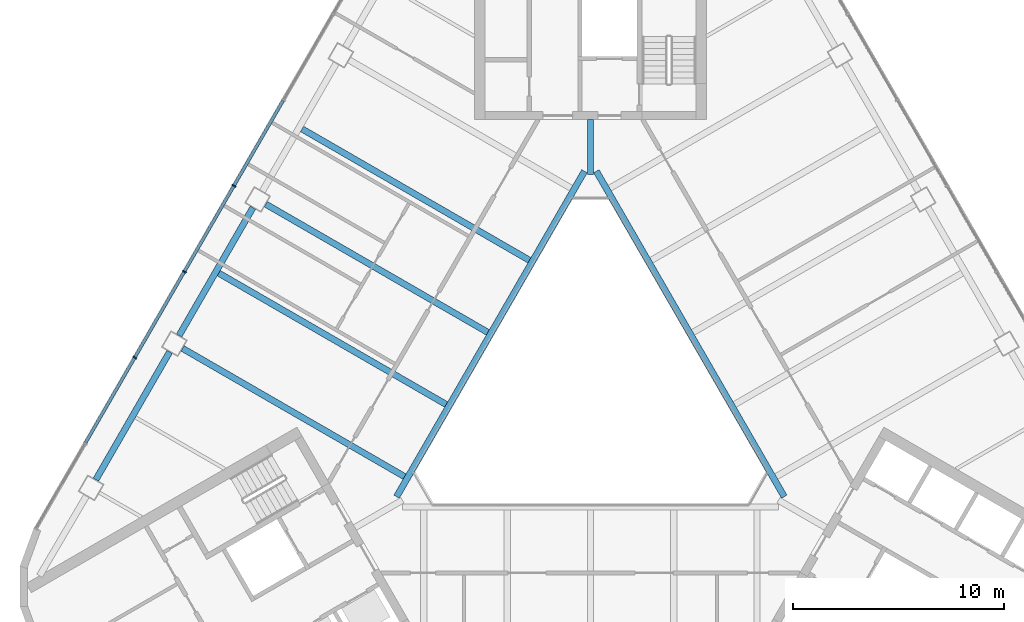
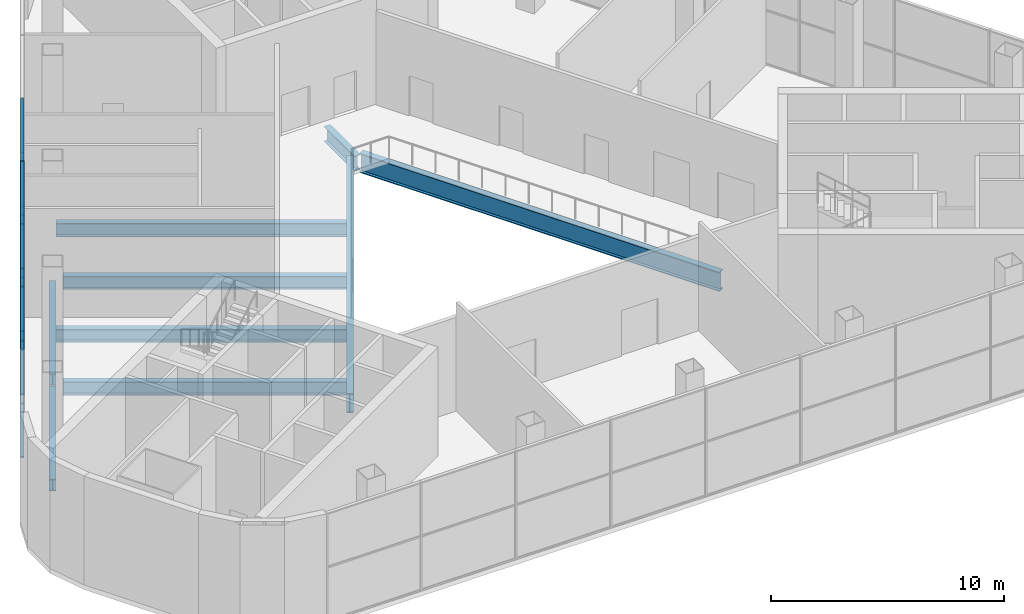
# One storey, part 3 of 14: 15 members, 9 beams, 1 element without a shape of its own.
"""IFC4 building model written with IfcOpenShell, lengths in metres."""

from ifc_helpers import new_model, si_unit, direction, frame, origin, origin_2d, place, context, subcontext, project, spatial, rectangle, i_section, extrude, material, layer, layer_set, material_profile, profile_set, type_object, element, aggregate, save


model = new_model("IFC4")

# Units and contexts
model_context = context("Model", 3, precision=1e-05, world=origin(), true_north=direction((0.0, 1.0)))
body_context = subcontext(model_context, "Body", "Model", "MODEL_VIEW")
ifc_project = project(units=[si_unit("LENGTHUNIT", "METRE"), si_unit("AREAUNIT", "SQUARE_METRE"), si_unit("VOLUMEUNIT", "CUBIC_METRE"), si_unit("PLANEANGLEUNIT", "RADIAN"), si_unit("MASSUNIT", "GRAM", prefix="KILO")], contexts=[model_context])

# Site, building, storey
site_placement = place(None, origin())
site = spatial("IfcSite", under=ifc_project, at=site_placement, CompositionType="ELEMENT")
building_placement = place(site_placement, origin())
building = spatial("IfcBuilding", under=site, at=building_placement, Name="Apuvela Tower Hotel", CompositionType="ELEMENT")
storey_placement = place(building_placement, frame((0.0, 0.0, 131.60009765625)))
storey = spatial("IfcBuildingStorey", under=building, at=storey_placement, Name="L31", CompositionType="ELEMENT", Elevation=131.60009765625)

# Curtain wall, members
ifc_material_1 = material(Name="Aluminium 6063-T6, dark bronze anodised", Category="aluminium")
ifc_layer = layer(ifc_material_1, 0.199951171875)
ifc_layer_set = layer_set([ifc_layer], Name="ENV-CW-S")
curtain_wall_type = type_object("IfcCurtainWallType", Name="ENV-CW-S", PredefinedType="NOTDEFINED", material=ifc_layer_set)
curtain_wall_placement = place(storey_placement, origin())
curtain_wall = element("IfcCurtainWall", 1, at=curtain_wall_placement, inside=storey, type_object=curtain_wall_type, Name="Curtain wall CW-S NW L31", PredefinedType="NOTDEFINED")
ifc_material_profile_1 = material_profile(ifc_material_1, rectangle(XDim=0.199951171875, YDim=0.06494140625, at=origin_2d()), Name="AL 65x200")
ifc_profile_set_1 = profile_set([ifc_material_profile_1], Name="Aluminium 6063-T6, dark bronze anodised")
member_type_1 = type_object("IfcMemberType", Name="ENV-MULLION-65x200", PredefinedType="MULLION", material=ifc_profile_set_1)
member_1_placement = place(storey_placement, frame((-16.91357421875, 9.764892578125, 0.0), z_axis=(0.0, 0.0, 1.0), x_axis=(0.866025924721, -0.49999909771, 0.0)))
member_1 = element("IfcMember", 2, at=member_1_placement, type_object=member_type_1, Name="CW-S mullion 5", PredefinedType="MULLION", context=body_context, shape_type="SweptSolid", body=[
    extrude(rectangle(XDim=0.199951171875, YDim=0.06494140625, at=origin_2d()), origin(), (0.0, 0.0, 1.0), 5.699951171875),
])
member_2_placement = place(storey_placement, frame((-19.265380859375, 5.691162109375, 0.0), z_axis=(0.0, 0.0, 1.0), x_axis=(0.866025924721, -0.49999909771, 0.0)))
member_2 = element("IfcMember", 3, at=member_2_placement, type_object=member_type_1, Name="CW-S mullion 6", PredefinedType="MULLION", context=body_context, shape_type="SweptSolid", body=[
    extrude(rectangle(XDim=0.199951171875, YDim=0.06494140625, at=origin_2d()), origin(), (0.0, 0.0, 1.0), 5.699951171875),
])
member_3_placement = place(storey_placement, frame((-21.617431640625, 1.617431640625, 0.0), z_axis=(0.0, 0.0, 1.0), x_axis=(0.866025924721, -0.49999909771, 0.0)))
member_3 = element("IfcMember", 4, at=member_3_placement, type_object=member_type_1, Name="CW-S mullion 7", PredefinedType="MULLION", context=body_context, shape_type="SweptSolid", body=[
    extrude(rectangle(XDim=0.199951171875, YDim=0.06494140625, at=origin_2d()), origin(), (0.0, 0.0, 1.0), 5.699951171875),
])
ifc_material_profile_2 = material_profile(ifc_material_1, rectangle(XDim=0.14990234375, YDim=0.06494140625, at=origin_2d()), Name="AL 65x150 transom")
ifc_profile_set_2 = profile_set([ifc_material_profile_2], Name="Aluminium 6063-T6, dark bronze anodised")
member_type_2 = type_object("IfcMemberType", Name="ENV-TRANSOM-65x150", PredefinedType="USERDEFINED", material=ifc_profile_set_2)
member_4_placement = place(storey_placement, frame((-14.577880859375, 13.810546875, 0.032470703125), z_axis=(-0.499988210251, -0.866032210492, 0.0), x_axis=(0.866032210492, -0.499988210251, 0.0)))
member_4 = element("IfcMember", 5, at=member_4_placement, type_object=member_type_2, Name="CW-S transom 4.1", ObjectType="TRANSOM", PredefinedType="USERDEFINED", context=body_context, shape_type="SweptSolid", body=[
    extrude(rectangle(XDim=0.14990234375, YDim=0.06494140625, at=origin_2d()), origin(), (0.0, 0.0, 1.0), 4.638671875),
])
member_5_placement = place(storey_placement, frame((-14.577880859375, 13.810546875, 2.849853515625), z_axis=(-0.499988210251, -0.866032210492, 0.0), x_axis=(0.866032210492, -0.499988210251, 0.0)))
member_5 = element("IfcMember", 6, at=member_5_placement, type_object=member_type_2, Name="CW-S transom 4.2", ObjectType="TRANSOM", PredefinedType="USERDEFINED", context=body_context, shape_type="SweptSolid", body=[
    extrude(rectangle(XDim=0.14990234375, YDim=0.06494140625, at=origin_2d()), origin(), (0.0, 0.0, 1.0), 4.638671875),
])
member_6_placement = place(storey_placement, frame((-14.577880859375, 13.810546875, 5.66748046875), z_axis=(-0.499988210251, -0.866032210492, 0.0), x_axis=(0.866032210492, -0.499988210251, 0.0)))
member_6 = element("IfcMember", 7, at=member_6_placement, type_object=member_type_2, Name="CW-S transom 4.3", ObjectType="TRANSOM", PredefinedType="USERDEFINED", context=body_context, shape_type="SweptSolid", body=[
    extrude(rectangle(XDim=0.14990234375, YDim=0.06494140625, at=origin_2d()), origin(), (0.0, 0.0, 1.0), 4.638671875),
])
member_7_placement = place(storey_placement, frame((-16.9296875, 9.73681640625, 0.032470703125), z_axis=(-0.500027682067, -0.866009420946, 0.0), x_axis=(0.866009420946, -0.500027682067, 0.0)))
member_7 = element("IfcMember", 8, at=member_7_placement, type_object=member_type_2, Name="CW-S transom 5.1", ObjectType="TRANSOM", PredefinedType="USERDEFINED", context=body_context, shape_type="SweptSolid", body=[
    extrude(rectangle(XDim=0.14990234375, YDim=0.06494140625, at=origin_2d()), origin(), (0.0, 0.0, 1.0), 4.638916015625),
])
member_8_placement = place(storey_placement, frame((-16.9296875, 9.73681640625, 2.849853515625), z_axis=(-0.500027682067, -0.866009420946, 0.0), x_axis=(0.866009420946, -0.500027682067, 0.0)))
member_8 = element("IfcMember", 9, at=member_8_placement, type_object=member_type_2, Name="CW-S transom 5.2", ObjectType="TRANSOM", PredefinedType="USERDEFINED", context=body_context, shape_type="SweptSolid", body=[
    extrude(rectangle(XDim=0.14990234375, YDim=0.06494140625, at=origin_2d()), origin(), (0.0, 0.0, 1.0), 4.638916015625),
])
member_9_placement = place(storey_placement, frame((-16.9296875, 9.73681640625, 5.66748046875), z_axis=(-0.500027682067, -0.866009420946, 0.0), x_axis=(0.866009420946, -0.500027682067, 0.0)))
member_9 = element("IfcMember", 10, at=member_9_placement, type_object=member_type_2, Name="CW-S transom 5.3", ObjectType="TRANSOM", PredefinedType="USERDEFINED", context=body_context, shape_type="SweptSolid", body=[
    extrude(rectangle(XDim=0.14990234375, YDim=0.06494140625, at=origin_2d()), origin(), (0.0, 0.0, 1.0), 4.638916015625),
])
member_10_placement = place(storey_placement, frame((-19.28173828125, 5.6630859375, 0.032470703125), z_axis=(-0.500027682067, -0.866009420946, 0.0), x_axis=(0.866009420946, -0.500027682067, 0.0)))
member_10 = element("IfcMember", 11, at=member_10_placement, type_object=member_type_2, Name="CW-S transom 6.1", ObjectType="TRANSOM", PredefinedType="USERDEFINED", context=body_context, shape_type="SweptSolid", body=[
    extrude(rectangle(XDim=0.14990234375, YDim=0.06494140625, at=origin_2d()), origin(), (0.0, 0.0, 1.0), 4.638916015625),
])
member_11_placement = place(storey_placement, frame((-19.28173828125, 5.6630859375, 2.849853515625), z_axis=(-0.500027682067, -0.866009420946, 0.0), x_axis=(0.866009420946, -0.500027682067, 0.0)))
member_11 = element("IfcMember", 12, at=member_11_placement, type_object=member_type_2, Name="CW-S transom 6.2", ObjectType="TRANSOM", PredefinedType="USERDEFINED", context=body_context, shape_type="SweptSolid", body=[
    extrude(rectangle(XDim=0.14990234375, YDim=0.06494140625, at=origin_2d()), origin(), (0.0, 0.0, 1.0), 4.638916015625),
])
member_12_placement = place(storey_placement, frame((-19.28173828125, 5.6630859375, 5.66748046875), z_axis=(-0.500027682067, -0.866009420946, 0.0), x_axis=(0.866009420946, -0.500027682067, 0.0)))
member_12 = element("IfcMember", 13, at=member_12_placement, type_object=member_type_2, Name="CW-S transom 6.3", ObjectType="TRANSOM", PredefinedType="USERDEFINED", context=body_context, shape_type="SweptSolid", body=[
    extrude(rectangle(XDim=0.14990234375, YDim=0.06494140625, at=origin_2d()), origin(), (0.0, 0.0, 1.0), 4.638916015625),
])
member_13_placement = place(storey_placement, frame((-21.6337890625, 1.58935546875, 0.032470703125), z_axis=(-0.49996542187, -0.866045366557, 0.0), x_axis=(0.866045366557, -0.49996542187, 0.0)))
member_13 = element("IfcMember", 14, at=member_13_placement, type_object=member_type_2, Name="CW-S transom 7.1", ObjectType="TRANSOM", PredefinedType="USERDEFINED", context=body_context, shape_type="SweptSolid", body=[
    extrude(rectangle(XDim=0.14990234375, YDim=0.06494140625, at=origin_2d()), origin(), (0.0, 0.0, 1.0), 4.638916015625),
])
member_14_placement = place(storey_placement, frame((-21.6337890625, 1.58935546875, 2.849853515625), z_axis=(-0.49996542187, -0.866045366557, 0.0), x_axis=(0.866045366557, -0.49996542187, 0.0)))
member_14 = element("IfcMember", 15, at=member_14_placement, type_object=member_type_2, Name="CW-S transom 7.2", ObjectType="TRANSOM", PredefinedType="USERDEFINED", context=body_context, shape_type="SweptSolid", body=[
    extrude(rectangle(XDim=0.14990234375, YDim=0.06494140625, at=origin_2d()), origin(), (0.0, 0.0, 1.0), 4.638916015625),
])
member_15_placement = place(storey_placement, frame((-21.6337890625, 1.58935546875, 5.66748046875), z_axis=(-0.49996542187, -0.866045366557, 0.0), x_axis=(0.866045366557, -0.49996542187, 0.0)))
member_15 = element("IfcMember", 16, at=member_15_placement, type_object=member_type_2, Name="CW-S transom 7.3", ObjectType="TRANSOM", PredefinedType="USERDEFINED", context=body_context, shape_type="SweptSolid", body=[
    extrude(rectangle(XDim=0.14990234375, YDim=0.06494140625, at=origin_2d()), origin(), (0.0, 0.0, 1.0), 4.638916015625),
])
aggregate(curtain_wall, [member_1, member_2, member_3, member_4, member_5, member_6, member_7, member_8, member_9, member_10, member_11, member_12, member_13, member_14, member_15])

# Beams
ifc_material_2 = material(Name="Steel S355", Category="steel")
ifc_material_profile_3 = material_profile(ifc_material_2, i_section(OverallWidth=0.300048828125, OverallDepth=0.68994140625, WebThickness=0.014404296875, FlangeThickness=0.027099609375, at=origin_2d()), Name="HE 700 A")
ifc_profile_set_3 = profile_set([ifc_material_profile_3], Name="Steel S355")
beam_type_1 = type_object("IfcBeamType", Name="STR-B floor beam HE 700 A", PredefinedType="BEAM", material=ifc_profile_set_3)
beam_1_placement = place(storey_placement, frame((-13.6826171875, 12.460693359375, -0.59521484375), z_axis=(0.866022737053, -0.500004618886, 0.0), x_axis=(0.500004618886, 0.866022737053, 0.0)))
element("IfcBeam", 17, at=beam_1_placement, inside=storey, type_object=beam_type_1, Name="Floor beam B6 NW4", PredefinedType="BEAM", context=body_context, shape_type="SweptSolid", body=[
    extrude(i_section(OverallWidth=0.300048828125, OverallDepth=0.68994140625, WebThickness=0.014404296875, FlangeThickness=0.027099609375, at=origin_2d()), origin(), (0.0, 0.0, 1.0), 12.4580078125),
])
beam_2_placement = place(storey_placement, frame((-15.39794921875, 8.889892578125, -0.59521484375), z_axis=(0.866028751965, -0.499994200737, 0.0), x_axis=(0.499994200737, 0.866028751965, 0.0)))
element("IfcBeam", 18, at=beam_2_placement, inside=storey, type_object=beam_type_1, Name="Floor beam B6 NW5", PredefinedType="BEAM", context=body_context, shape_type="SweptSolid", body=[
    extrude(i_section(OverallWidth=0.300048828125, OverallDepth=0.68994140625, WebThickness=0.014404296875, FlangeThickness=0.027099609375, at=origin_2d()), origin(), (0.0, 0.0, 1.0), 12.157958984375),
])
beam_3_placement = place(storey_placement, frame((-17.6328125, 5.619140625, -0.59521484375), z_axis=(0.866027636335, -0.499996133089, 0.0), x_axis=(0.499996133089, 0.866027636335, 0.0)))
element("IfcBeam", 19, at=beam_3_placement, inside=storey, type_object=beam_type_1, Name="Floor beam B6 NW6", PredefinedType="BEAM", context=body_context, shape_type="SweptSolid", body=[
    extrude(i_section(OverallWidth=0.300048828125, OverallDepth=0.68994140625, WebThickness=0.014404296875, FlangeThickness=0.027099609375, at=origin_2d()), origin(), (0.0, 0.0, 1.0), 12.4580078125),
])
beam_4_placement = place(storey_placement, frame((-19.347900390625, 2.04833984375, -0.59521484375), z_axis=(0.866028751965, -0.499994200737, 0.0), x_axis=(0.499994200737, 0.866028751965, 0.0)))
element("IfcBeam", 20, at=beam_4_placement, inside=storey, type_object=beam_type_1, Name="Floor beam B6 NW7", PredefinedType="BEAM", context=body_context, shape_type="SweptSolid", body=[
    extrude(i_section(OverallWidth=0.300048828125, OverallDepth=0.68994140625, WebThickness=0.014404296875, FlangeThickness=0.027099609375, at=origin_2d()), origin(), (0.0, 0.0, 1.0), 12.157958984375),
])
ifc_material_profile_4 = material_profile(ifc_material_2, i_section(OverallWidth=0.302001953125, OverallDepth=1.008056640625, WebThickness=0.02099609375, FlangeThickness=0.0400390625, at=origin_2d()), Name="HE 1000 M")
ifc_profile_set_4 = profile_set([ifc_material_profile_4], Name="Steel S355")
beam_type_2 = type_object("IfcBeamType", Name="STR-G atrium ring girder HE 1000 M", PredefinedType="BEAM", material=ifc_profile_set_4)
for number, where, z_axis, x_axis, name in (
    (21, (-0.28076171875, 10.455810546875, -0.754150390625), (-0.500000611842, -0.866025050537, 0.0), (0.866025050537, -0.500000611842, 0.0), "Atrium ring girder G1 N-SW"),
    (22, (9.1953125, -4.984619140625, -0.754150390625), (-0.500000611842, 0.866025050537, 0.0), (-0.866025050537, -0.500000611842, 0.0), "Atrium ring girder G1 SE-N"),
):
    element("IfcBeam", number, at=place(storey_placement, frame(where, z_axis=z_axis, x_axis=x_axis)), inside=storey, type_object=beam_type_2, Name=name, PredefinedType="BEAM", context=body_context, shape_type="SweptSolid", body=[
        extrude(i_section(OverallWidth=0.302001953125, OverallDepth=1.008056640625, WebThickness=0.02099609375, FlangeThickness=0.0400390625, at=origin_2d()), origin(), (0.0, 0.0, 1.0), 17.8291015625),
    ])
ifc_material_profile_5 = material_profile(ifc_material_2, i_section(OverallWidth=0.300048828125, OverallDepth=0.800048828125, WebThickness=0.017578125, FlangeThickness=0.032958984375, at=origin_2d()), Name="HE 800 B")
ifc_profile_set_5 = profile_set([ifc_material_profile_5], Name="Steel S355")
beam_type_3 = type_object("IfcBeamType", Name="STR-GT core tie beam HE 800 B", PredefinedType="BEAM", material=ifc_profile_set_5)
beam_5_placement = place(storey_placement, frame((0.0, 12.89990234375, -0.650146484375), z_axis=(0.0, -1.0, 0.0), x_axis=(1.0, 0.0, 0.0)))
element("IfcBeam", 23, at=beam_5_placement, inside=storey, type_object=beam_type_3, Name="Core tie beam GT1 N", PredefinedType="BEAM", context=body_context, shape_type="SweptSolid", body=[
    extrude(i_section(OverallWidth=0.300048828125, OverallDepth=0.800048828125, WebThickness=0.017578125, FlangeThickness=0.032958984375, at=origin_2d()), origin(), (0.0, 0.0, 1.0), 2.599853515625),
])
ifc_material_profile_6 = material_profile(ifc_material_2, i_section(OverallWidth=0.300048828125, OverallDepth=0.590087890625, WebThickness=0.012939453125, FlangeThickness=0.02490234375, at=origin_2d()), Name="HE 600 A")
ifc_profile_set_6 = profile_set([ifc_material_profile_6], Name="Steel S355")
beam_type_4 = type_object("IfcBeamType", Name="STR-SB spandrel beam HE 600 A", PredefinedType="SPANDREL", material=ifc_profile_set_6)
for number, where, z_axis, x_axis, name in (
    (24, (-16.0126953125, 8.725341796875, -0.545166015625), (-0.499995173006, -0.866028190633, 0.0), (0.866028190633, -0.499995173006, 0.0), "Spandrel beam SB2 NW3"),
    (25, (-19.962646484375, 1.8837890625, -0.545166015625), (-0.499995173006, -0.866028190633, 0.0), (0.866028190633, -0.499995173006, 0.0), "Spandrel beam SB2 NW4"),
):
    element("IfcBeam", number, at=place(storey_placement, frame(where, z_axis=z_axis, x_axis=x_axis)), inside=storey, type_object=beam_type_4, Name=name, PredefinedType="SPANDREL", context=body_context, shape_type="SweptSolid", body=[
        extrude(i_section(OverallWidth=0.300048828125, OverallDepth=0.590087890625, WebThickness=0.012939453125, FlangeThickness=0.02490234375, at=origin_2d()), origin(), (0.0, 0.0, 1.0), 7.0),
    ])

save(model, "model.ifc")
